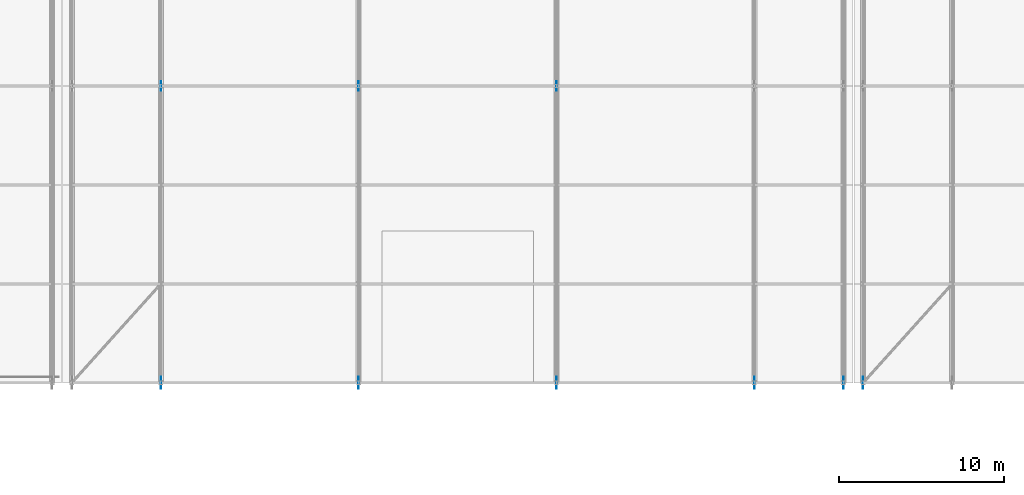
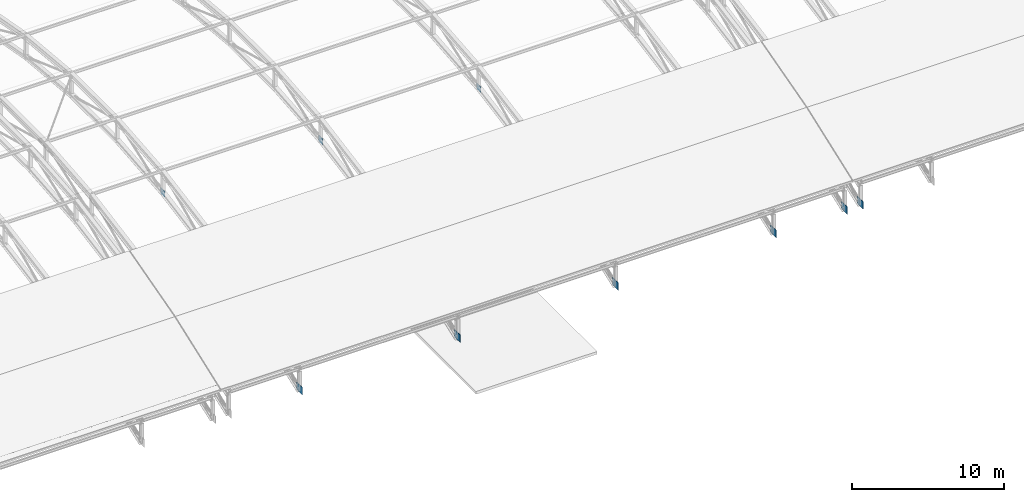
# One storey, part 180 of 204: 9 plates.
"""IFC4 building model written with IfcOpenShell, lengths in metres."""

from ifc_helpers import new_model, si_unit, direction, frame, origin, origin_2d, place, context, subcontext, project, spatial, rectangle, extrude, material, layer, layer_set, type_object, element, save


model = new_model("IFC4")

# Units and contexts
model_context = context("Model", 3, precision=1e-05, world=origin(), true_north=direction((0.0, 1.0)))
body_context = subcontext(model_context, "Body", "Model", "MODEL_VIEW")
ifc_project = project(units=[si_unit("LENGTHUNIT", "METRE"), si_unit("AREAUNIT", "SQUARE_METRE"), si_unit("VOLUMEUNIT", "CUBIC_METRE"), si_unit("PLANEANGLEUNIT", "RADIAN"), si_unit("MASSUNIT", "GRAM", prefix="KILO")], contexts=[model_context])

# Site, building, storey
site_placement = place(None, origin())
site = spatial("IfcSite", under=ifc_project, at=site_placement, CompositionType="ELEMENT")
building_placement = place(site_placement, origin())
building = spatial("IfcBuilding", under=site, at=building_placement, Name="Zilviju Railside Exhibition Hall", CompositionType="ELEMENT")
storey_placement = place(building_placement, frame((0.0, 0.0, 21.0)))
storey = spatial("IfcBuildingStorey", under=building, at=storey_placement, Name="RF", CompositionType="ELEMENT", Elevation=21.0)

# Plates
ifc_material = material(Name="Steel S355ML", Category="steel")
ifc_layer_1 = layer(ifc_material, 0.02392578125)
ifc_layer_set_1 = layer_set([ifc_layer_1], Name="Steel S355ML")
plate_type_1 = type_object("IfcPlateType", Name="PLATE-GP-24", PredefinedType="SHEET", material=ifc_layer_set_1)
for number, where, z_axis, x_axis, name in (
    (1, (132.0, 18.0, -3.072265625), (0.0, 0.0, 1.0), (1.0, 0.0, 0.0), "V1 Truss Node Gusset Plate X=132.0 N3"),
    (2, (144.0, 18.0, -3.072265625), (0.0, 0.0, 1.0), (1.0, 0.0, 0.0), "V1 Truss Node Gusset Plate X=144.0 N3"),
    (3, (156.0, 18.0, -3.072265625), (0.0, 0.0, 1.0), (1.0, 0.0, 0.0), "V1 Truss Node Gusset Plate X=156.0 N3"),
):
    element("IfcPlate", number, at=place(storey_placement, frame(where, z_axis=z_axis, x_axis=x_axis)), inside=storey, type_object=plate_type_1, Name=name, PredefinedType="SHEET", context=body_context, shape_type="SweptSolid", body=[
        extrude(rectangle(XDim=0.02392578125, YDim=0.550048828125, at=origin_2d()), origin(), (0.0, 0.0, 1.0), 0.5),
    ])
ifc_layer_2 = layer(ifc_material, 0.031982421875)
ifc_layer_set_2 = layer_set([ifc_layer_2], Name="Steel S355ML")
plate_type_2 = type_object("IfcPlateType", Name="PLATE-GP-32", PredefinedType="SHEET", material=ifc_layer_set_2)
for number, where, z_axis, x_axis, name in (
    (4, (132.0, 0.0, -7.949951171875), (0.0, 0.0, 1.0), (1.0, 0.0, 0.0), "V1 Arch Pin-Shoe Gusset Plate X=132.0"),
    (5, (144.0, 0.0, -7.949951171875), (0.0, 0.0, 1.0), (1.0, 0.0, 0.0), "V1 Arch Pin-Shoe Gusset Plate X=144.0"),
    (6, (156.0, 0.0, -7.949951171875), (0.0, 0.0, 1.0), (1.0, 0.0, 0.0), "V1 Arch Pin-Shoe Gusset Plate X=156.0"),
    (7, (168.0, 0.0, -7.949951171875), (0.0, 0.0, 1.0), (1.0, 0.0, 0.0), "V1 Arch Pin-Shoe Gusset Plate X=168.0"),
    (8, (173.39990234375, 0.0, -7.949951171875), (0.0, 0.0, 1.0), (1.0, 0.0, 0.0), "V1 Arch Pin-Shoe Gusset Plate X=173.4"),
    (9, (174.60009765625, 0.0, -7.949951171875), (0.0, 0.0, 1.0), (1.0, 0.0, 0.0), "V1 Arch Pin-Shoe Gusset Plate X=174.6"),
):
    element("IfcPlate", number, at=place(storey_placement, frame(where, z_axis=z_axis, x_axis=x_axis)), inside=storey, type_object=plate_type_2, Name=name, PredefinedType="SHEET", context=body_context, shape_type="SweptSolid", body=[
        extrude(rectangle(XDim=0.031982421875, YDim=0.75, at=origin_2d()), origin(), (0.0, 0.0, 1.0), 0.60009765625),
    ])

save(model, "model.ifc")
